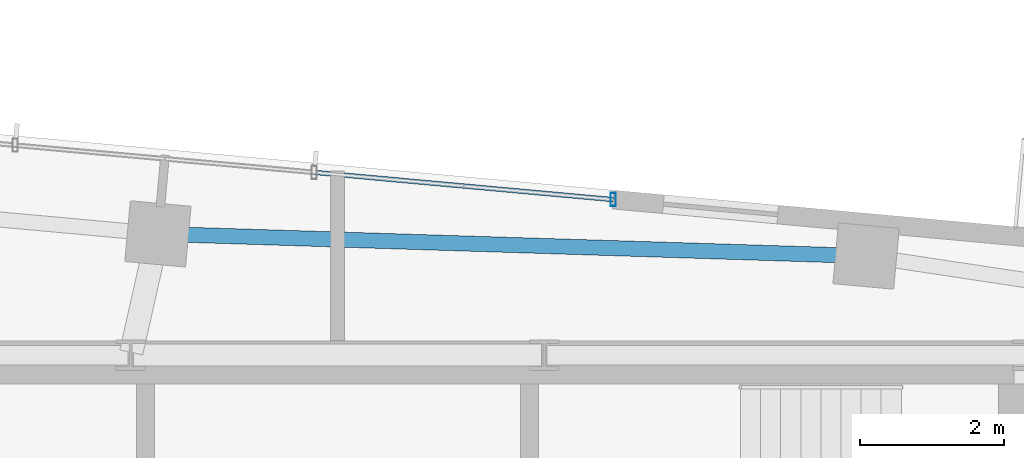
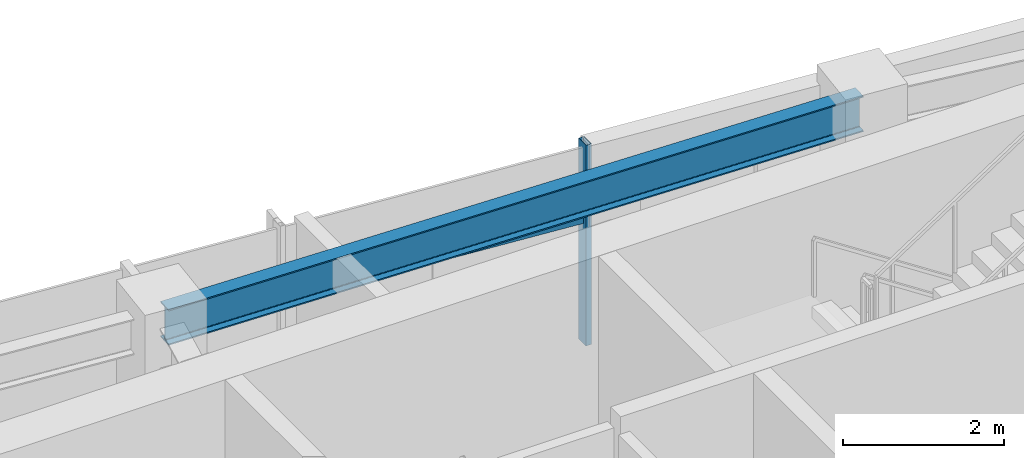
# One storey, part 11 of 22: 2 members, 1 beam, 1 element without a shape of its own.
"""IFC4 building model written with IfcOpenShell, lengths in metres."""

from ifc_helpers import new_model, si_unit, direction, frame, origin, origin_2d, place, context, subcontext, project, spatial, hollow_rectangle, i_section, extrude, source, transform, mapped, material, material_profile, profile_set, type_object, type_shapes, element, aggregate, save


model = new_model("IFC4")

# Units and contexts
model_context = context("Model", 3, precision=1e-05, world=origin(), true_north=direction((0.0, 1.0)))
body_context = subcontext(model_context, "Body", "Model", "MODEL_VIEW")
ifc_project = project(units=[si_unit("LENGTHUNIT", "METRE"), si_unit("AREAUNIT", "SQUARE_METRE"), si_unit("VOLUMEUNIT", "CUBIC_METRE"), si_unit("PLANEANGLEUNIT", "RADIAN"), si_unit("MASSUNIT", "GRAM", prefix="KILO")], contexts=[model_context])

# Site, building, storey
site_placement = place(None, origin())
site = spatial("IfcSite", under=ifc_project, at=site_placement, CompositionType="ELEMENT")
building_placement = place(site_placement, origin())
building = spatial("IfcBuilding", under=site, at=building_placement, Name="Astriad Promenade Condominiums", CompositionType="ELEMENT")
storey_placement = place(building_placement, frame((0.0, 0.0, 229.800048828125)))
storey = spatial("IfcBuildingStorey", under=building, at=storey_placement, Name="L66", CompositionType="ELEMENT", Elevation=229.800048828125)

# Beam
ifc_material_1 = material(Name="Steel ASTM A992 Grade 50", Category="steel")
ifc_material_profile_1 = material_profile(ifc_material_1, i_section(OverallWidth=0.210693359375, OverallDepth=0.53955078125, WebThickness=0.01171875, FlangeThickness=0.018798828125, FilletRadius=0.0166015625, at=origin_2d()), Name="W21X73")
ifc_profile_set_1 = profile_set([ifc_material_profile_1], Name="Steel ASTM A992 Grade 50")
beam_type = type_object("IfcBeamType", Name="STEEL SPANDREL BEAM W21X73", PredefinedType="SPANDREL", material=ifc_profile_set_1)
shared_shape_1 = source(origin(), body_context, "Body", "SweptSolid", [
    extrude(i_section(OverallWidth=0.210693359375, OverallDepth=0.53955078125, WebThickness=0.01171875, FlangeThickness=0.018798828125, FilletRadius=0.0166015625, at=origin_2d()), origin(), (0.0, 0.0, 1.0), 9.783935546875),
])
type_shapes(beam_type, [shared_shape_1])
beam_placement = place(storey_placement, frame((43.31884765625, 25.381103515625, 2.770263671875), z_axis=(-0.999511077438, 0.031266692798, 0.0), x_axis=(-0.031266692798, -0.999511077438, 0.0)))
element("IfcBeam", 1, at=beam_placement, inside=storey, type_object=beam_type, Name="Perimeter Spandrel Beam SP-N3-L66", PredefinedType="SPANDREL", context=body_context, shape_type="MappedRepresentation", body=[
    mapped(shared_shape_1, transform((0.0, 0.0, 0.0), scale=1.0)),
])

# Curtain wall, members
ifc_material_2 = material(Name="Anodised aluminium Black Dark Glass Unitised", Category="aluminium")
curtain_wall_type = type_object("IfcCurtainWallType", Name="CW-B5-DARK", PredefinedType="USERDEFINED", material=ifc_material_2)
curtain_wall_placement = place(storey_placement, origin())
curtain_wall = element("IfcCurtainWall", 2, at=curtain_wall_placement, inside=storey, type_object=curtain_wall_type, Name="CW-L66-N", ObjectType="UNITISED_CURTAIN_WALL", PredefinedType="USERDEFINED")
ifc_material_3 = material(Name="Anodised aluminium 6063-T6 Black", Category="aluminium")
ifc_material_profile_2 = material_profile(ifc_material_3, hollow_rectangle(XDim=0.06494140625, YDim=0.1298828125, WallThickness=0.00390625, at=origin_2d()), Name="ALU-TRN-65X130")
ifc_profile_set_2 = profile_set([ifc_material_profile_2], Name="Anodised aluminium 6063-T6 Black")
member_type_1 = type_object("IfcMemberType", Name="TRN-ALU-TRN-65X130", PredefinedType="USERDEFINED", material=ifc_profile_set_2)
shared_shape_2 = source(origin(), body_context, "Body", "SweptSolid", [
    extrude(hollow_rectangle(XDim=0.06494140625, YDim=0.1298828125, WallThickness=0.00390625, at=origin_2d()), origin(), (0.0, 0.0, 1.0), 4.179931640625),
])
type_shapes(member_type_1, [shared_shape_2])
member_1_placement = place(storey_placement, frame((35.67626953125, 26.54443359375, 1.884765625), z_axis=(0.995883146811, -0.090646334165, 0.0), x_axis=(0.090646334165, 0.995883146811, 0.0)))
member_1 = element("IfcMember", 3, at=member_1_placement, type_object=member_type_1, Name="CW-L66-N-TRN-02-0", ObjectType="TRANSOM", PredefinedType="USERDEFINED", context=body_context, shape_type="MappedRepresentation", body=[
    mapped(shared_shape_2, transform((0.0, 0.0, 0.0), scale=1.0)),
])
ifc_material_profile_3 = material_profile(ifc_material_3, hollow_rectangle(XDim=0.074951171875, YDim=0.18505859375, WallThickness=0.00439453125, at=origin_2d()), Name="ALU-MUL-75X185")
ifc_profile_set_3 = profile_set([ifc_material_profile_3], Name="Anodised aluminium 6063-T6 Black")
member_type_2 = type_object("IfcMemberType", Name="MUL-ALU-MUL-75X185", PredefinedType="MULLION", material=ifc_profile_set_3)
shared_shape_3 = source(origin(), body_context, "Body", "SweptSolid", [
    extrude(hollow_rectangle(XDim=0.074951171875, YDim=0.18505859375, WallThickness=0.00439453125, at=origin_2d()), origin(), (0.0, 0.0, 1.0), 3.0400390625),
])
type_shapes(member_type_2, [shared_shape_3])
member_2_placement = place(storey_placement, frame((39.839111328125, 26.16552734375, 0.0), z_axis=(0.0, 0.0, 1.0), x_axis=(1.0, 0.0, 0.0)))
member_2 = element("IfcMember", 4, at=member_2_placement, type_object=member_type_2, Name="CW-L66-N-MUL-03", PredefinedType="MULLION", context=body_context, shape_type="MappedRepresentation", body=[
    mapped(shared_shape_3, transform((0.0, 0.0, 0.0), scale=1.0)),
])
aggregate(curtain_wall, [member_2, member_1])

save(model, "model.ifc")
